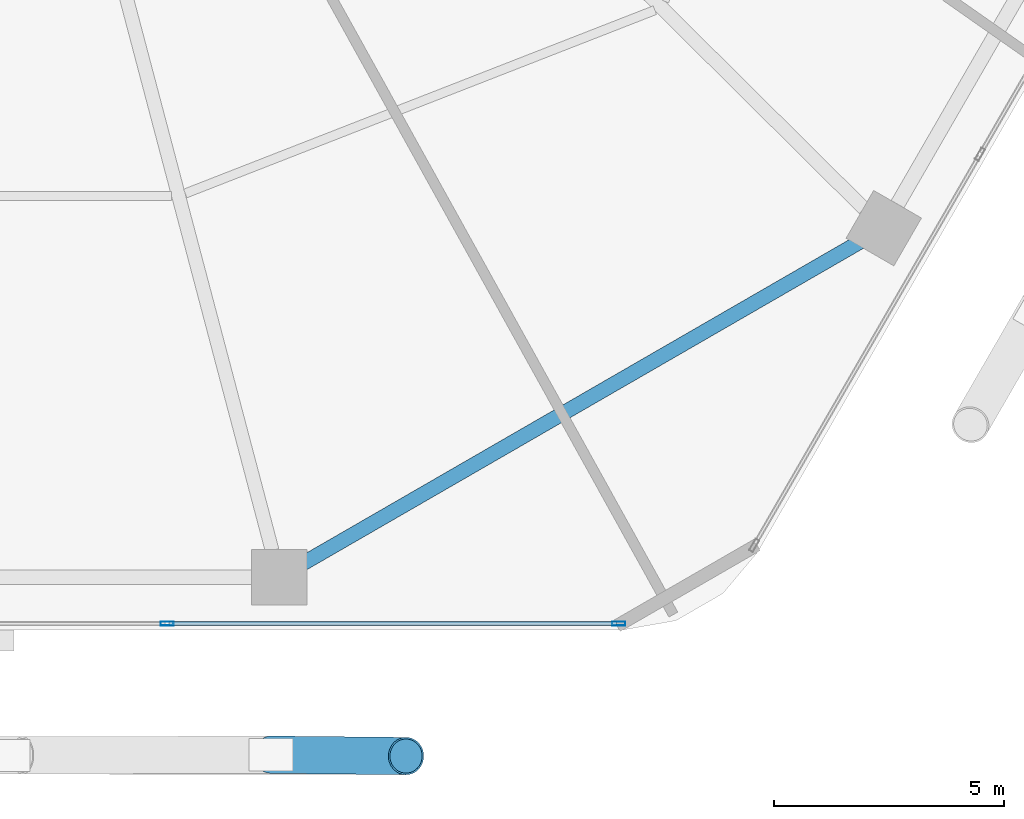
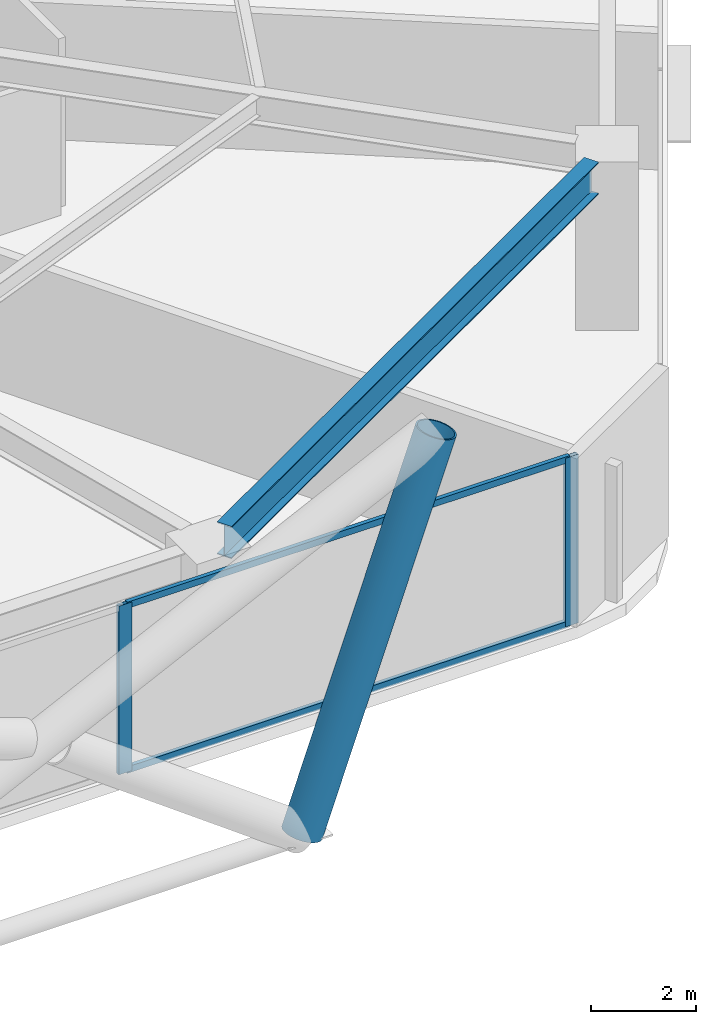
# One storey, part 7 of 30: 5 members, 1 beam, 1 element without a shape of its own.
"""IFC4 building model written with IfcOpenShell, lengths in metres."""

from ifc_helpers import new_model, si_unit, direction, frame, origin, origin_2d, place, context, subcontext, project, spatial, hollow_rectangle, hollow_circle, i_section, extrude, material, material_profile, profile_set, type_object, element, aggregate, save


model = new_model("IFC4")

# Units and contexts
model_context = context("Model", 3, precision=1e-05, world=origin(), true_north=direction((0.0, 1.0)))
body_context = subcontext(model_context, "Body", "Model", "MODEL_VIEW")
ifc_project = project(units=[si_unit("LENGTHUNIT", "METRE"), si_unit("AREAUNIT", "SQUARE_METRE"), si_unit("VOLUMEUNIT", "CUBIC_METRE"), si_unit("PLANEANGLEUNIT", "RADIAN"), si_unit("MASSUNIT", "GRAM", prefix="KILO")], contexts=[model_context])

# Site, building, storey
site_placement = place(None, origin())
site = spatial("IfcSite", under=ifc_project, at=site_placement, CompositionType="ELEMENT")
building_placement = place(site_placement, origin())
building = spatial("IfcBuilding", under=site, at=building_placement, Name="Zuhravey Tower", CompositionType="ELEMENT")
storey_placement = place(building_placement, frame((0.0, 0.0, 33.0)))
storey = spatial("IfcBuildingStorey", under=building, at=storey_placement, Name="L08", CompositionType="ELEMENT", Elevation=33.0)

# Curtain wall, members
ifc_material_1 = material(Name="Thermally broken anodised aluminium", Category="aluminium")
curtain_wall_type = type_object("IfcCurtainWallType", Name="School Low-E Unitised Curtain Wall CW1", PredefinedType="NOTDEFINED", material=ifc_material_1)
curtain_wall_placement = place(storey_placement, origin())
curtain_wall = element("IfcCurtainWall", 1, at=curtain_wall_placement, inside=storey, type_object=curtain_wall_type, Name="L08 CW1 CW-L08-F5-1", PredefinedType="NOTDEFINED")
ifc_material_2 = material(Name="Anodised aluminium", Category="aluminium")
ifc_material_profile_1 = material_profile(ifc_material_2, hollow_rectangle(XDim=0.090087890625, YDim=0.284912109375, WallThickness=0.0048828125, at=origin_2d()), Name="ALU-RHS-90x285x5")
ifc_profile_set_1 = profile_set([ifc_material_profile_1], Name="Anodised aluminium")
member_type_1 = type_object("IfcMemberType", Name="Curtain-Wall Mullion 90x180", PredefinedType="MULLION", material=ifc_profile_set_1)
member_1_placement = place(storey_placement, frame((50.75439453125, 3.04150390625, 0.0), z_axis=(0.0, 0.0, 1.0), x_axis=(0.0, -1.0, 0.0)))
member_1 = element("IfcMember", 2, at=member_1_placement, type_object=member_type_1, Name="CW1 mullion 1", PredefinedType="MULLION", context=body_context, shape_type="SweptSolid", body=[
    extrude(hollow_rectangle(XDim=0.090087890625, YDim=0.284912109375, WallThickness=0.0048828125, at=origin_2d()), origin(), (0.0, 0.0, 1.0), 3.919921875),
])
member_2_placement = place(storey_placement, frame((40.93310546875, 3.04150390625, 0.0), z_axis=(0.0, 0.0, 1.0), x_axis=(0.0, -1.0, 0.0)))
member_2 = element("IfcMember", 3, at=member_2_placement, type_object=member_type_1, Name="CW1 mullion 2", PredefinedType="MULLION", context=body_context, shape_type="SweptSolid", body=[
    extrude(hollow_rectangle(XDim=0.090087890625, YDim=0.284912109375, WallThickness=0.0048828125, at=origin_2d()), origin(), (0.0, 0.0, 1.0), 3.919921875),
])
ifc_material_profile_2 = material_profile(ifc_material_2, hollow_rectangle(XDim=0.090087890625, YDim=0.14990234375, WallThickness=0.0048828125, at=origin_2d()), Name="ALU-RHS-90x150x5")
ifc_profile_set_2 = profile_set([ifc_material_profile_2], Name="Anodised aluminium")
member_type_2 = type_object("IfcMemberType", Name="Curtain-Wall Transom 90x150", PredefinedType="USERDEFINED", material=ifc_profile_set_2)
member_3_placement = place(storey_placement, frame((50.70947265625, 3.04150390625, 0.044921875), z_axis=(-1.0, 0.0, 0.0), x_axis=(0.0, -1.0, 0.0)))
member_3 = element("IfcMember", 4, at=member_3_placement, type_object=member_type_2, Name="CW1 transom 1.1", ObjectType="TRANSOM", PredefinedType="USERDEFINED", context=body_context, shape_type="SweptSolid", body=[
    extrude(hollow_rectangle(XDim=0.090087890625, YDim=0.14990234375, WallThickness=0.0048828125, at=origin_2d()), origin(), (0.0, 0.0, 1.0), 9.731201171875),
])
member_4_placement = place(storey_placement, frame((50.70947265625, 3.04150390625, 3.875), z_axis=(-1.0, 0.0, 0.0), x_axis=(0.0, -1.0, 0.0)))
member_4 = element("IfcMember", 5, at=member_4_placement, type_object=member_type_2, Name="CW1 transom 1.2", ObjectType="TRANSOM", PredefinedType="USERDEFINED", context=body_context, shape_type="SweptSolid", body=[
    extrude(hollow_rectangle(XDim=0.090087890625, YDim=0.14990234375, WallThickness=0.0048828125, at=origin_2d()), origin(), (0.0, 0.0, 1.0), 9.731201171875),
])
aggregate(curtain_wall, [member_1, member_2, member_3, member_4])

# Member
ifc_material_3 = material(Name="Steel SM460", Category="steel")
ifc_material_profile_3 = material_profile(ifc_material_3, hollow_circle(Radius=0.406494140625, WallThickness=0.035888671875, at=origin_2d()), Name="CHS-812.8x36")
ifc_profile_set_3 = profile_set([ifc_material_profile_3], Name="Steel SM460")
member_type_3 = type_object("IfcMemberType", Name="Exoskeleton Zone 1 Diagrid CHS813x36", PredefinedType="BRACE", material=ifc_profile_set_3)
member_5_placement = place(storey_placement, frame((43.20166015625, 0.19140625, -0.471923828125), z_axis=(0.330640861788, -0.003364038457, 0.943750657622), x_axis=(0.010173770828, 0.999948245854, 0.0)))
element("IfcMember", 6, at=member_5_placement, inside=storey, type_object=member_type_3, Name="L08 Face 5 Diagrid Brace 4", PredefinedType="BRACE", context=body_context, shape_type="SweptSolid", body=[
    extrude(hollow_circle(Radius=0.406494140625, WallThickness=0.035888671875, at=origin_2d()), origin(), (0.0, 0.0, 1.0), 8.85400390625),
])

# Beam
ifc_material_4 = material(Name="Steel SM355", Category="steel")
ifc_material_profile_4 = material_profile(ifc_material_4, i_section(OverallWidth=0.320068359375, OverallDepth=0.75, WebThickness=0.013916015625, FlangeThickness=0.02490234375, at=origin_2d()), Name="H-750x320x14x25")
ifc_profile_set_4 = profile_set([ifc_material_profile_4], Name="Steel SM355")
beam_type = type_object("IfcBeamType", Name="Perimeter Ring Beam H750x320", PredefinedType="BEAM", material=ifc_profile_set_4)
beam_placement = place(storey_placement, frame((43.89208984375, 4.35302734375, 3.544921875), z_axis=(0.866029969761, 0.499992091414, 0.0), x_axis=(-0.499992091414, 0.866029969761, 0.0)))
element("IfcBeam", 7, at=beam_placement, inside=storey, type_object=beam_type, Name="L08 PB1 BM-L08-PB-10", PredefinedType="BEAM", context=body_context, shape_type="SweptSolid", body=[
    extrude(i_section(OverallWidth=0.320068359375, OverallDepth=0.75, WebThickness=0.013916015625, FlangeThickness=0.02490234375, at=origin_2d()), origin(), (0.0, 0.0, 1.0), 13.977294921875),
])

save(model, "model.ifc")
